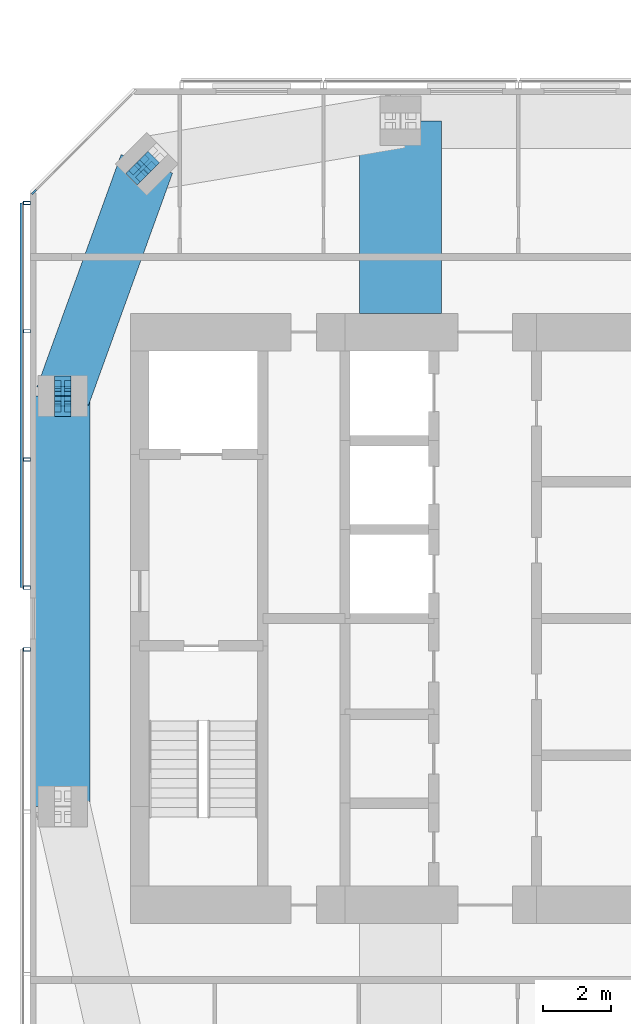
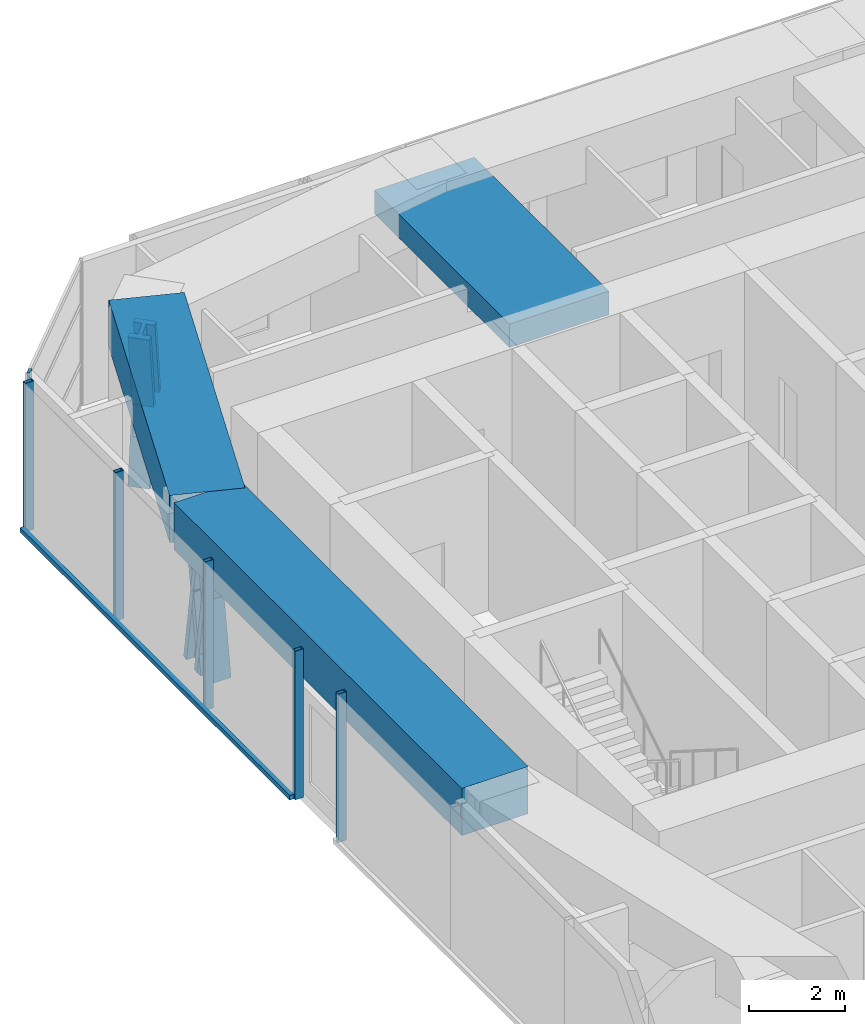
# One storey, part 6 of 20: 13 members, 3 beams, 3 elements without a shape of their own.
"""IFC4 building model written with IfcOpenShell, lengths in metres."""

from ifc_helpers import new_model, si_unit, direction, frame, origin, origin_2d, place, context, subcontext, project, spatial, rectangle, hollow_rectangle, i_section, extrude, material, material_profile, profile_set, type_object, element, aggregate, save


model = new_model("IFC4")

# Units and contexts
model_context = context("Model", 3, precision=1e-05, world=origin(), true_north=direction((0.0, 1.0)))
body_context = subcontext(model_context, "Body", "Model", "MODEL_VIEW")
ifc_project = project(units=[si_unit("LENGTHUNIT", "METRE"), si_unit("AREAUNIT", "SQUARE_METRE"), si_unit("VOLUMEUNIT", "CUBIC_METRE"), si_unit("PLANEANGLEUNIT", "RADIAN"), si_unit("MASSUNIT", "GRAM", prefix="KILO")], contexts=[model_context])

# Site, building, storey
site_placement = place(None, origin())
site = spatial("IfcSite", under=ifc_project, at=site_placement, CompositionType="ELEMENT")
building_placement = place(site_placement, origin())
building = spatial("IfcBuilding", under=site, at=building_placement, Name="Jalousie Tower", CompositionType="ELEMENT")
storey_placement = place(building_placement, frame((0.0, 0.0, 259.949951171875)))
storey = spatial("IfcBuildingStorey", under=building, at=storey_placement, Name="L71", CompositionType="ELEMENT", Elevation=259.949951171875)

# Curtain wall, member
ifc_material_1 = material(Name="Aluminium curtain wall", Category="aluminium")
curtain_wall_type_1 = type_object("IfcCurtainWallType", Name="PENTHOUSE CORNER WINDOW WALL", PredefinedType="USERDEFINED", material=ifc_material_1)
curtain_wall_1_placement = place(storey_placement, origin())
curtain_wall_1 = element("IfcCurtainWall", 1, at=curtain_wall_1_placement, inside=storey, type_object=curtain_wall_type_1, Name="Penthouse Corner Window Wall L71 6", ObjectType="PENTHOUSE CORNER WINDOW WALL", PredefinedType="USERDEFINED")
ifc_material_2 = material(Name="Aluminium mullion", Category="aluminium")
ifc_material_profile_1 = material_profile(ifc_material_2, rectangle(XDim=0.06005859375, YDim=0.179931640625, at=origin_2d()), Name="MULLION 60x180")
ifc_profile_set_1 = profile_set([ifc_material_profile_1], Name="Aluminium mullion")
member_type_1 = type_object("IfcMemberType", Name="PENTHOUSE CORNER WINDOW WALL MULLION", PredefinedType="MULLION", material=ifc_profile_set_1)
member_1_placement = place(storey_placement, frame((16.90869140625, 30.969970703125, 0.0), z_axis=(0.0, 0.0, 1.0), x_axis=(0.707106781187, -0.707106781187, 0.0)))
member_1 = element("IfcMember", 2, at=member_1_placement, type_object=member_type_1, Name="CW-H mullion 2", PredefinedType="MULLION", context=body_context, shape_type="SweptSolid", body=[
    extrude(rectangle(XDim=0.06005859375, YDim=0.179931640625, at=origin_2d()), origin(), (0.0, 0.0, 1.0), 3.66015625),
])
aggregate(curtain_wall_1, [member_1])

# Members
ifc_material_3 = material(Name="Steel ASTM A992 Grade 50", Category="steel")
ifc_material_profile_2 = material_profile(ifc_material_3, i_section(OverallWidth=0.472412109375, OverallDepth=0.5791015625, WebThickness=0.094970703125, FlangeThickness=0.1298828125, at=origin_2d()), Name="W14X808")
ifc_profile_set_2 = profile_set([ifc_material_profile_2], Name="Steel ASTM A992 Grade 50")
member_type_2 = type_object("IfcMemberType", Name="PERIMETER BRACE W14X808", PredefinedType="BRACE", material=ifc_profile_set_2)
for number, where, z_axis, x_axis, name in (
    (3, (20.20703125, 31.79296875, 1.35009765625), (-0.124836902862, -0.124960137712, 0.984276745467), (0.707455539091, -0.706757851183, 0.0), "Perimeter brace 12 L71 part 2"),
    (4, (19.959716796875, 31.54541015625, -0.599853515625), (0.124836902862, 0.124960137712, 0.984276745467), (-0.707455539091, 0.706757851183, 0.0), "Perimeter brace 12 L71 part 3"),
):
    element("IfcMember", number, at=place(storey_placement, frame(where, z_axis=z_axis, x_axis=x_axis)), inside=storey, type_object=member_type_2, Name=name, PredefinedType="BRACE", context=body_context, shape_type="SweptSolid", body=[
        extrude(i_section(OverallWidth=0.472412109375, OverallDepth=0.5791015625, WebThickness=0.094970703125, FlangeThickness=0.1298828125, at=origin_2d()), origin(), (0.0, 0.0, 1.0), 1.981201171875),
    ])
for number, where, z_axis, x_axis, name in (
    (5, (17.75, 24.699951171875, -0.599853515625), (0.0, 0.152085080919, 0.988367405453), (-1.0, 0.0, 0.0), "Perimeter brace 13 L71 part 1"),
    (6, (17.75, 25.0, 1.35009765625), (0.0, 0.152085080919, 0.988367405453), (-1.0, 0.0, 0.0), "Perimeter brace 13 L71 part 2"),
    (7, (17.75, 25.300048828125, -0.599853515625), (0.0, -0.152085080919, 0.988367405453), (1.0, 0.0, 0.0), "Perimeter brace 13 L71 part 3"),
    (8, (17.75, 25.0, 1.35009765625), (0.0, -0.152085080919, 0.988367405453), (1.0, 0.0, 0.0), "Perimeter brace 13 L71 part 4"),
):
    element("IfcMember", number, at=place(storey_placement, frame(where, z_axis=z_axis, x_axis=x_axis)), inside=storey, type_object=member_type_2, Name=name, PredefinedType="BRACE", context=body_context, shape_type="SweptSolid", body=[
        extrude(i_section(OverallWidth=0.472412109375, OverallDepth=0.5791015625, WebThickness=0.094970703125, FlangeThickness=0.1298828125, at=origin_2d()), origin(), (0.0, 0.0, 1.0), 1.972900390625),
    ])

# Beams
ifc_material_4 = material(Name="Concrete f'c 40 MPa", Category="concrete")
ifc_material_profile_3 = material_profile(ifc_material_4, rectangle(XDim=1.60009765625, YDim=1.199951171875, at=origin_2d()), Name="RC 1600x1200")
ifc_profile_set_3 = profile_set([ifc_material_profile_3], Name="Concrete f'c 40 MPa")
beam_type_1 = type_object("IfcBeamType", Name="RC BEAM 1600x1200", PredefinedType="BEAM", material=ifc_profile_set_3)
beam_1_placement = place(storey_placement, frame((20.20703125, 31.79296875, 3.300048828125), z_axis=(-0.340136081654, -0.940376225751, 0.0), x_axis=(0.940376225751, -0.340136081654, 0.0)))
element("IfcBeam", 9, at=beam_1_placement, inside=storey, type_object=beam_type_1, Name="Edge band beam 12-13 under L72", PredefinedType="BEAM", context=body_context, shape_type="SweptSolid", body=[
    extrude(rectangle(XDim=1.60009765625, YDim=1.199951171875, at=origin_2d()), origin(), (0.0, 0.0, 1.0), 7.2236328125),
])
beam_2_placement = place(storey_placement, frame((17.75, 25.0, 3.300048828125), z_axis=(0.0, -1.0, 0.0), x_axis=(1.0, 0.0, 0.0)))
element("IfcBeam", 10, at=beam_2_placement, inside=storey, type_object=beam_type_1, Name="Edge band beam 13-14 under L72", PredefinedType="BEAM", context=body_context, shape_type="SweptSolid", body=[
    extrude(rectangle(XDim=1.60009765625, YDim=1.199951171875, at=origin_2d()), origin(), (0.0, 0.0, 1.0), 12.0),
])
ifc_material_5 = material(Name="Concrete f'c 40 MPa", Category="concrete")
ifc_material_profile_4 = material_profile(ifc_material_5, rectangle(XDim=2.39990234375, YDim=0.60009765625, at=origin_2d()), Name="RC 2400x600")
ifc_profile_set_4 = profile_set([ifc_material_profile_4], Name="Concrete f'c 40 MPa")
beam_type_2 = type_object("IfcBeamType", Name="RC BEAM 2400x600", PredefinedType="BEAM", material=ifc_profile_set_4)
beam_3_placement = place(storey_placement, frame((27.625, 33.050048828125, 3.360107421875), z_axis=(0.0, -1.0, 0.0), x_axis=(1.0, 0.0, 0.0)))
element("IfcBeam", 11, at=beam_3_placement, inside=storey, type_object=beam_type_2, Name="Floor band beam under L72", PredefinedType="BEAM", context=body_context, shape_type="SweptSolid", body=[
    extrude(rectangle(XDim=2.39990234375, YDim=0.60009765625, at=origin_2d()), origin(), (0.0, 0.0, 1.0), 5.625),
])

# Curtain wall, members
ifc_material_6 = material(Name="Perforated aluminium sheet", Category="aluminium")
curtain_wall_type_2 = type_object("IfcCurtainWallType", Name="SOLAR SCREEN SS-2", PredefinedType="USERDEFINED", material=ifc_material_6)
curtain_wall_2_placement = place(storey_placement, origin())
curtain_wall_2 = element("IfcCurtainWall", 12, at=curtain_wall_2_placement, inside=storey, type_object=curtain_wall_type_2, Name="Solar screen L71", ObjectType="SOLAR SCREEN SS-2", PredefinedType="USERDEFINED")
ifc_material_7 = material(Name="Steel ASTM A500 Grade C", Category="steel")
ifc_material_profile_5 = material_profile(ifc_material_7, hollow_rectangle(XDim=0.1015625, YDim=0.203125, WallThickness=0.0078125, at=origin_2d()), Name="HSS8X4X5/16")
ifc_profile_set_5 = profile_set([ifc_material_profile_5], Name="Steel ASTM A500 Grade C")
member_type_3 = type_object("IfcMemberType", Name="SOLAR SCREEN SS-2 MULLION", PredefinedType="MULLION", material=ifc_profile_set_5)
member_2_placement = place(storey_placement, frame((16.703369140625, 30.648681640625, -0.119873046875), z_axis=(0.0, 0.0, 1.0), x_axis=(0.0, -1.0, 0.0)))
member_2 = element("IfcMember", 13, at=member_2_placement, type_object=member_type_3, Name="SS2 post 1", PredefinedType="MULLION", context=body_context, shape_type="SweptSolid", body=[
    extrude(hollow_rectangle(XDim=0.1015625, YDim=0.203125, WallThickness=0.0078125, at=origin_2d()), origin(), (0.0, 0.0, 1.0), 3.780029296875),
])
member_3_placement = place(storey_placement, frame((16.703369140625, 26.899169921875, -0.119873046875), z_axis=(0.0, 0.0, 1.0), x_axis=(0.0, -1.0, 0.0)))
member_3 = element("IfcMember", 14, at=member_3_placement, type_object=member_type_3, Name="SS2 post 2", PredefinedType="MULLION", context=body_context, shape_type="SweptSolid", body=[
    extrude(hollow_rectangle(XDim=0.1015625, YDim=0.203125, WallThickness=0.0078125, at=origin_2d()), origin(), (0.0, 0.0, 1.0), 3.780029296875),
])
member_4_placement = place(storey_placement, frame((16.703369140625, 23.149658203125, -0.119873046875), z_axis=(0.0, 0.0, 1.0), x_axis=(0.0, -1.0, 0.0)))
member_4 = element("IfcMember", 15, at=member_4_placement, type_object=member_type_3, Name="SS2 post 3", PredefinedType="MULLION", context=body_context, shape_type="SweptSolid", body=[
    extrude(hollow_rectangle(XDim=0.1015625, YDim=0.203125, WallThickness=0.0078125, at=origin_2d()), origin(), (0.0, 0.0, 1.0), 3.780029296875),
])
member_5_placement = place(storey_placement, frame((16.703369140625, 19.39990234375, -0.119873046875), z_axis=(0.0, 0.0, 1.0), x_axis=(0.0, -1.0, 0.0)))
member_5 = element("IfcMember", 16, at=member_5_placement, type_object=member_type_3, Name="SS2 post 4", PredefinedType="MULLION", context=body_context, shape_type="SweptSolid", body=[
    extrude(hollow_rectangle(XDim=0.1015625, YDim=0.203125, WallThickness=0.0078125, at=origin_2d()), origin(), (0.0, 0.0, 1.0), 3.780029296875),
])

# Curtain wall, member
curtain_wall_3_placement = place(storey_placement, origin())
curtain_wall_3 = element("IfcCurtainWall", 17, at=curtain_wall_3_placement, inside=storey, type_object=curtain_wall_type_2, Name="Solar screen L71", ObjectType="SOLAR SCREEN SS-2", PredefinedType="USERDEFINED")
member_6_placement = place(storey_placement, frame((16.703369140625, 17.60009765625, -0.119873046875), z_axis=(0.0, 0.0, 1.0), x_axis=(0.0, -1.0, 0.0)))
member_6 = element("IfcMember", 18, at=member_6_placement, type_object=member_type_3, Name="SS2 post 1", PredefinedType="MULLION", context=body_context, shape_type="SweptSolid", body=[
    extrude(hollow_rectangle(XDim=0.1015625, YDim=0.203125, WallThickness=0.0078125, at=origin_2d()), origin(), (0.0, 0.0, 1.0), 3.780029296875),
])
aggregate(curtain_wall_3, [member_6])

# Member
ifc_material_8 = material(Name="Extruded aluminium screen rail", Category="aluminium")
ifc_material_profile_6 = material_profile(ifc_material_8, rectangle(XDim=0.1015625, YDim=0.1201171875, at=origin_2d()), Name="RAIL 102x120")
ifc_profile_set_6 = profile_set([ifc_material_profile_6], Name="Extruded aluminium screen rail")
member_type_4 = type_object("IfcMemberType", Name="SOLAR SCREEN SS-2 TRANSOM", PredefinedType="USERDEFINED", material=ifc_profile_set_6)
member_7_placement = place(storey_placement, frame((16.551025390625, 30.648681640625, -0.06005859375), z_axis=(0.0, -1.0, 0.0), x_axis=(1.0, 0.0, 0.0)))
member_7 = element("IfcMember", 19, at=member_7_placement, type_object=member_type_4, Name="SS2 rail", ObjectType="TRANSOM", PredefinedType="USERDEFINED", context=body_context, shape_type="SweptSolid", body=[
    extrude(rectangle(XDim=0.1015625, YDim=0.1201171875, at=origin_2d()), origin(), (0.0, 0.0, 1.0), 11.248779296875),
])

aggregate(curtain_wall_2, [member_2, member_3, member_4, member_5, member_7])

save(model, "model.ifc")
